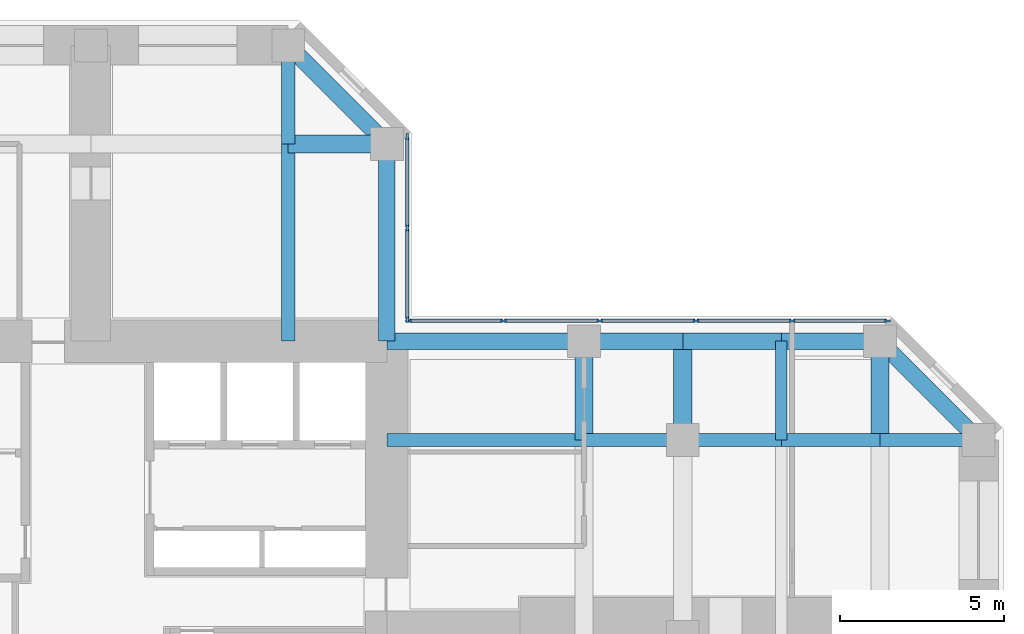
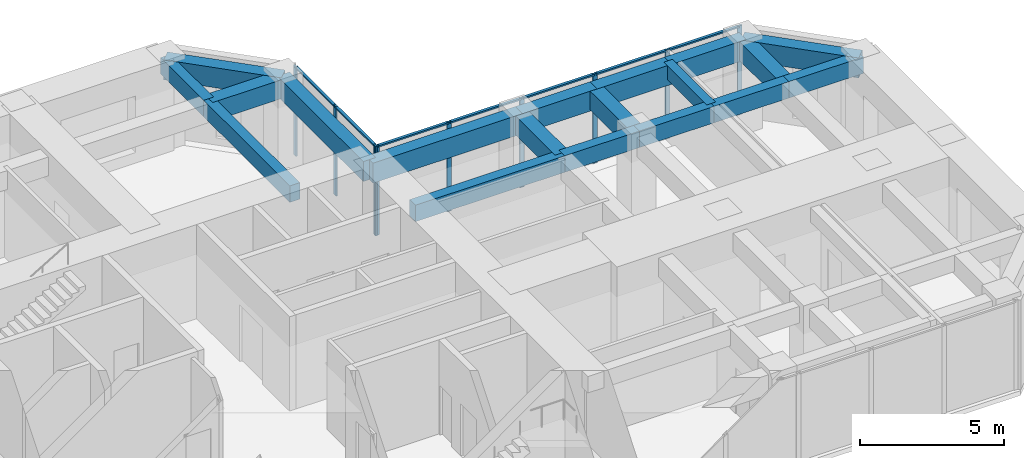
# One storey, part 6 of 13: 19 beams, 16 members, 2 elements without a shape of their own.
"""IFC4 building model written with IfcOpenShell, lengths in metres."""

from ifc_helpers import new_model, si_unit, direction, frame, origin, origin_2d, place, context, subcontext, project, spatial, rectangle, extrude, material, material_profile, profile_set, type_object, element, aggregate, save


model = new_model("IFC4")

# Units and contexts
model_context = context("Model", 3, precision=1e-05, world=origin(), true_north=direction((0.0, 1.0)))
body_context = subcontext(model_context, "Body", "Model", "MODEL_VIEW")
ifc_project = project(units=[si_unit("LENGTHUNIT", "METRE"), si_unit("AREAUNIT", "SQUARE_METRE"), si_unit("VOLUMEUNIT", "CUBIC_METRE"), si_unit("PLANEANGLEUNIT", "RADIAN"), si_unit("MASSUNIT", "GRAM", prefix="KILO")], contexts=[model_context])

# Site, building, storey
site_placement = place(None, origin())
site = spatial("IfcSite", under=ifc_project, at=site_placement, CompositionType="ELEMENT")
building_placement = place(site_placement, origin())
building = spatial("IfcBuilding", under=site, at=building_placement, Name="Torre Cruceta", CompositionType="ELEMENT")
storey_placement = place(building_placement, frame((0.0, 0.0, 156.5)))
storey = spatial("IfcBuildingStorey", under=building, at=storey_placement, Name="L38", CompositionType="ELEMENT", Elevation=156.5)

# Beams
ifc_material_1 = material(Name="Concrete G60 (fck 60 MPa)", Category="concrete")
ifc_material_profile_1 = material_profile(ifc_material_1, rectangle(XDim=0.39990234375, YDim=0.699951171875, at=origin_2d()), Name="RC 400X700")
ifc_profile_set_1 = profile_set([ifc_material_profile_1], Name="Concrete G60 (fck 60 MPa)")
beam_type_1 = type_object("IfcBeamType", Name="COLUMN LINE BEAM RC 400X700", PredefinedType="BEAM", material=ifc_profile_set_1)
beam_1_placement = place(storey_placement, frame((6.0, 9.0, 3.449951171875), z_axis=(0.0, 1.0, 0.0), x_axis=(-1.0, 0.0, 0.0)))
element("IfcBeam", 1, at=beam_1_placement, inside=storey, type_object=beam_type_1, Name="LB5 L38 N col- 1", PredefinedType="BEAM", context=body_context, shape_type="SweptSolid", body=[
    extrude(rectangle(XDim=0.39990234375, YDim=0.699951171875, at=origin_2d()), origin(), (0.0, 0.0, 1.0), 6.0),
])
beam_2_placement = place(storey_placement, frame((6.0, 15.0, 3.449951171875), z_axis=(0.0, 1.0, 0.0), x_axis=(-1.0, 0.0, 0.0)))
element("IfcBeam", 2, at=beam_2_placement, inside=storey, type_object=beam_type_1, Name="LB5 L38 N col- 2", PredefinedType="BEAM", context=body_context, shape_type="SweptSolid", body=[
    extrude(rectangle(XDim=0.39990234375, YDim=0.699951171875, at=origin_2d()), origin(), (0.0, 0.0, 1.0), 3.0),
])
beam_3_placement = place(storey_placement, frame((9.0, 6.0, 3.449951171875), z_axis=(1.0, 0.0, 0.0), x_axis=(0.0, 1.0, 0.0)))
element("IfcBeam", 3, at=beam_3_placement, inside=storey, type_object=beam_type_1, Name="LB5 L38 E col+ 1", PredefinedType="BEAM", context=body_context, shape_type="SweptSolid", body=[
    extrude(rectangle(XDim=0.39990234375, YDim=0.699951171875, at=origin_2d()), origin(), (0.0, 0.0, 1.0), 6.0),
])
for number, where, z_axis, x_axis, name in (
    (4, (15.0, 6.0, 3.449951171875), (1.0, 0.0, 0.0), (0.0, 1.0, 0.0), "LB5 L38 E col+ 2"),
    (5, (18.0, 6.0, 3.449951171875), (1.0, 0.0, 0.0), (0.0, 1.0, 0.0), "LB5 L38 E col+ 3"),
    (6, (21.0, 6.0, 3.449951171875), (1.0, 0.0, 0.0), (0.0, 1.0, 0.0), "LB5 L38 E col+ 4"),
    (7, (24.0, 6.0, 3.449951171875), (1.0, 0.0, 0.0), (0.0, 1.0, 0.0), "LB5 L38 E col+ 5"),
):
    element("IfcBeam", number, at=place(storey_placement, frame(where, z_axis=z_axis, x_axis=x_axis)), inside=storey, type_object=beam_type_1, Name=name, PredefinedType="BEAM", context=body_context, shape_type="SweptSolid", body=[
        extrude(rectangle(XDim=0.39990234375, YDim=0.699951171875, at=origin_2d()), origin(), (0.0, 0.0, 1.0), 3.0),
    ])
ifc_material_2 = material(Name="Concrete G60 (fck 60 MPa)", Category="concrete")
ifc_material_profile_2 = material_profile(ifc_material_2, rectangle(XDim=0.550048828125, YDim=0.800048828125, at=origin_2d()), Name="RC 550X800")
ifc_profile_set_2 = profile_set([ifc_material_profile_2], Name="Concrete G60 (fck 60 MPa)")
beam_type_2 = type_object("IfcBeamType", Name="CROSS BEAM RC 550X800", PredefinedType="BEAM", material=ifc_profile_set_2)
for number, where, z_axis, x_axis, name in (
    (8, (9.0, 15.0, 3.39990234375), (-1.0, 0.0, 0.0), (0.0, -1.0, 0.0), "GB5 L38 N cross15 1"),
    (9, (15.0, 6.0, 3.39990234375), (0.0, 1.0, 0.0), (-1.0, 0.0, 0.0), "GB5 L38 E cross15 4"),
    (10, (18.0, 6.0, 3.39990234375), (0.0, 1.0, 0.0), (-1.0, 0.0, 0.0), "GB5 L38 E cross18 4"),
    (11, (24.0, 6.0, 3.39990234375), (0.0, 1.0, 0.0), (-1.0, 0.0, 0.0), "GB5 L38 E cross24 4"),
):
    element("IfcBeam", number, at=place(storey_placement, frame(where, z_axis=z_axis, x_axis=x_axis)), inside=storey, type_object=beam_type_2, Name=name, PredefinedType="BEAM", context=body_context, shape_type="SweptSolid", body=[
        extrude(rectangle(XDim=0.550048828125, YDim=0.800048828125, at=origin_2d()), origin(), (0.0, 0.0, 1.0), 3.0),
    ])

# Curtain wall, members
ifc_material_3 = material(Name="Aluminium unitised curtain wall", Category="aluminium")
curtain_wall_type = type_object("IfcCurtainWallType", Name="CURTAIN WALL CW-B OFFICE MID RISE", PredefinedType="USERDEFINED", material=ifc_material_3)
curtain_wall_1_placement = place(storey_placement, origin())
curtain_wall_1 = element("IfcCurtainWall", 12, at=curtain_wall_1_placement, inside=storey, type_object=curtain_wall_type, Name="CW-B L38 E side 04", ObjectType="UNITISED", PredefinedType="USERDEFINED")
ifc_material_4 = material(Name="Aluminium mullion", Category="aluminium")
ifc_material_profile_3 = material_profile(ifc_material_4, rectangle(XDim=0.06494140625, YDim=0.179931640625, at=origin_2d()), Name="AL 65X180")
ifc_profile_set_3 = profile_set([ifc_material_profile_3], Name="Aluminium mullion")
member_type_1 = type_object("IfcMemberType", Name="CW-B MULLION 65X180", PredefinedType="MULLION", material=ifc_profile_set_3)
member_1_placement = place(storey_placement, frame((24.224365234375, 9.6201171875, 0.0), z_axis=(0.0, 0.0, 1.0), x_axis=(0.0, -1.0, 0.0)))
member_1 = element("IfcMember", 13, at=member_1_placement, type_object=member_type_1, Name="CW-B mullion 1", PredefinedType="MULLION", context=body_context, shape_type="SweptSolid", body=[
    extrude(rectangle(XDim=0.06494140625, YDim=0.179931640625, at=origin_2d()), origin(), (0.0, 0.0, 1.0), 3.800048828125),
])
member_2_placement = place(storey_placement, frame((21.329345703125, 9.6201171875, 0.0), z_axis=(0.0, 0.0, 1.0), x_axis=(0.0, -1.0, 0.0)))
member_2 = element("IfcMember", 14, at=member_2_placement, type_object=member_type_1, Name="CW-B mullion 2", PredefinedType="MULLION", context=body_context, shape_type="SweptSolid", body=[
    extrude(rectangle(XDim=0.06494140625, YDim=0.179931640625, at=origin_2d()), origin(), (0.0, 0.0, 1.0), 3.800048828125),
])
member_3_placement = place(storey_placement, frame((18.402099609375, 9.6201171875, 0.0), z_axis=(0.0, 0.0, 1.0), x_axis=(0.0, -1.0, 0.0)))
member_3 = element("IfcMember", 15, at=member_3_placement, type_object=member_type_1, Name="CW-B mullion 3", PredefinedType="MULLION", context=body_context, shape_type="SweptSolid", body=[
    extrude(rectangle(XDim=0.06494140625, YDim=0.179931640625, at=origin_2d()), origin(), (0.0, 0.0, 1.0), 3.800048828125),
])
member_4_placement = place(storey_placement, frame((15.474609375, 9.6201171875, 0.0), z_axis=(0.0, 0.0, 1.0), x_axis=(0.0, -1.0, 0.0)))
member_4 = element("IfcMember", 16, at=member_4_placement, type_object=member_type_1, Name="CW-B mullion 4", PredefinedType="MULLION", context=body_context, shape_type="SweptSolid", body=[
    extrude(rectangle(XDim=0.06494140625, YDim=0.179931640625, at=origin_2d()), origin(), (0.0, 0.0, 1.0), 3.800048828125),
])
member_5_placement = place(storey_placement, frame((12.54736328125, 9.6201171875, 0.0), z_axis=(0.0, 0.0, 1.0), x_axis=(0.0, -1.0, 0.0)))
member_5 = element("IfcMember", 17, at=member_5_placement, type_object=member_type_1, Name="CW-B mullion 5", PredefinedType="MULLION", context=body_context, shape_type="SweptSolid", body=[
    extrude(rectangle(XDim=0.06494140625, YDim=0.179931640625, at=origin_2d()), origin(), (0.0, 0.0, 1.0), 3.800048828125),
])
member_6_placement = place(storey_placement, frame((9.652587890625, 9.6201171875, 0.0), z_axis=(0.0, 0.0, 1.0), x_axis=(0.0, -1.0, 0.0)))
member_6 = element("IfcMember", 18, at=member_6_placement, type_object=member_type_1, Name="CW-B mullion 6", PredefinedType="MULLION", context=body_context, shape_type="SweptSolid", body=[
    extrude(rectangle(XDim=0.06494140625, YDim=0.179931640625, at=origin_2d()), origin(), (0.0, 0.0, 1.0), 3.800048828125),
])

curtain_wall_2_placement = place(storey_placement, origin())
curtain_wall_2 = element("IfcCurtainWall", 19, at=curtain_wall_2_placement, inside=storey, type_object=curtain_wall_type, Name="CW-B L38 N side 05", ObjectType="UNITISED", PredefinedType="USERDEFINED")
member_7_placement = place(storey_placement, frame((9.6201171875, 9.652587890625, 0.0), z_axis=(0.0, 0.0, 1.0), x_axis=(-1.0, 0.0, 0.0)))
member_7 = element("IfcMember", 20, at=member_7_placement, type_object=member_type_1, Name="CW-B mullion 1", PredefinedType="MULLION", context=body_context, shape_type="SweptSolid", body=[
    extrude(rectangle(XDim=0.06494140625, YDim=0.179931640625, at=origin_2d()), origin(), (0.0, 0.0, 1.0), 3.800048828125),
])
member_8_placement = place(storey_placement, frame((9.6201171875, 12.4384765625, 0.0), z_axis=(0.0, 0.0, 1.0), x_axis=(-1.0, 0.0, 0.0)))
member_8 = element("IfcMember", 21, at=member_8_placement, type_object=member_type_1, Name="CW-B mullion 2", PredefinedType="MULLION", context=body_context, shape_type="SweptSolid", body=[
    extrude(rectangle(XDim=0.06494140625, YDim=0.179931640625, at=origin_2d()), origin(), (0.0, 0.0, 1.0), 3.800048828125),
])
member_9_placement = place(storey_placement, frame((9.6201171875, 15.224365234375, 0.0), z_axis=(0.0, 0.0, 1.0), x_axis=(-1.0, 0.0, 0.0)))
member_9 = element("IfcMember", 22, at=member_9_placement, type_object=member_type_1, Name="CW-B mullion 3", PredefinedType="MULLION", context=body_context, shape_type="SweptSolid", body=[
    extrude(rectangle(XDim=0.06494140625, YDim=0.179931640625, at=origin_2d()), origin(), (0.0, 0.0, 1.0), 3.800048828125),
])

# Member
ifc_material_5 = material(Name="Aluminium transom", Category="aluminium")
ifc_material_profile_4 = material_profile(ifc_material_5, rectangle(XDim=0.110107421875, YDim=0.06494140625, at=origin_2d()), Name="AL 110X65")
ifc_profile_set_4 = profile_set([ifc_material_profile_4], Name="Aluminium transom")
member_type_2 = type_object("IfcMemberType", Name="CW-B TRANSOM 65X110", PredefinedType="USERDEFINED", material=ifc_profile_set_4)
member_10_placement = place(storey_placement, frame((24.19189453125, 9.6201171875, 3.767578125), z_axis=(-1.0, 0.0, 0.0), x_axis=(0.0, -1.0, 0.0)))
member_10 = element("IfcMember", 23, at=member_10_placement, type_object=member_type_2, Name="CW-B transom 1", ObjectType="TRANSOM", PredefinedType="USERDEFINED", context=body_context, shape_type="SweptSolid", body=[
    extrude(rectangle(XDim=0.110107421875, YDim=0.06494140625, at=origin_2d()), origin(), (0.0, 0.0, 1.0), 2.829833984375),
])

member_11_placement = place(storey_placement, frame((21.296875, 9.6201171875, 3.767578125), z_axis=(-1.0, 0.0, 0.0), x_axis=(0.0, -1.0, 0.0)))
member_11 = element("IfcMember", 24, at=member_11_placement, type_object=member_type_2, Name="CW-B transom 2", ObjectType="TRANSOM", PredefinedType="USERDEFINED", context=body_context, shape_type="SweptSolid", body=[
    extrude(rectangle(XDim=0.110107421875, YDim=0.06494140625, at=origin_2d()), origin(), (0.0, 0.0, 1.0), 2.8623046875),
])

member_12_placement = place(storey_placement, frame((18.36962890625, 9.6201171875, 3.767578125), z_axis=(-1.0, 0.0, 0.0), x_axis=(0.0, -1.0, 0.0)))
member_12 = element("IfcMember", 25, at=member_12_placement, type_object=member_type_2, Name="CW-B transom 3", ObjectType="TRANSOM", PredefinedType="USERDEFINED", context=body_context, shape_type="SweptSolid", body=[
    extrude(rectangle(XDim=0.110107421875, YDim=0.06494140625, at=origin_2d()), origin(), (0.0, 0.0, 1.0), 2.8623046875),
])

member_13_placement = place(storey_placement, frame((15.442138671875, 9.6201171875, 3.767578125), z_axis=(-1.0, 0.0, 0.0), x_axis=(0.0, -1.0, 0.0)))
member_13 = element("IfcMember", 26, at=member_13_placement, type_object=member_type_2, Name="CW-B transom 4", ObjectType="TRANSOM", PredefinedType="USERDEFINED", context=body_context, shape_type="SweptSolid", body=[
    extrude(rectangle(XDim=0.110107421875, YDim=0.06494140625, at=origin_2d()), origin(), (0.0, 0.0, 1.0), 2.8623046875),
])

member_14_placement = place(storey_placement, frame((12.514892578125, 9.6201171875, 3.767578125), z_axis=(-1.0, 0.0, 0.0), x_axis=(0.0, -1.0, 0.0)))
member_14 = element("IfcMember", 27, at=member_14_placement, type_object=member_type_2, Name="CW-B transom 5", ObjectType="TRANSOM", PredefinedType="USERDEFINED", context=body_context, shape_type="SweptSolid", body=[
    extrude(rectangle(XDim=0.110107421875, YDim=0.06494140625, at=origin_2d()), origin(), (0.0, 0.0, 1.0), 2.829833984375),
])

aggregate(curtain_wall_1, [member_1, member_2, member_3, member_4, member_5, member_6, member_10, member_11, member_12, member_13, member_14])

member_15_placement = place(storey_placement, frame((9.6201171875, 9.68505859375, 3.767578125), z_axis=(0.0, 1.0, 0.0), x_axis=(-1.0, 0.0, 0.0)))
member_15 = element("IfcMember", 28, at=member_15_placement, type_object=member_type_2, Name="CW-B transom 1", ObjectType="TRANSOM", PredefinedType="USERDEFINED", context=body_context, shape_type="SweptSolid", body=[
    extrude(rectangle(XDim=0.110107421875, YDim=0.06494140625, at=origin_2d()), origin(), (0.0, 0.0, 1.0), 2.720947265625),
])

member_16_placement = place(storey_placement, frame((9.6201171875, 12.470947265625, 3.767578125), z_axis=(0.0, 1.0, 0.0), x_axis=(-1.0, 0.0, 0.0)))
member_16 = element("IfcMember", 29, at=member_16_placement, type_object=member_type_2, Name="CW-B transom 2", ObjectType="TRANSOM", PredefinedType="USERDEFINED", context=body_context, shape_type="SweptSolid", body=[
    extrude(rectangle(XDim=0.110107421875, YDim=0.06494140625, at=origin_2d()), origin(), (0.0, 0.0, 1.0), 2.720947265625),
])

aggregate(curtain_wall_2, [member_7, member_8, member_9, member_15, member_16])

# Beams
ifc_material_6 = material(Name="Concrete G60 (fck 60 MPa)", Category="concrete")
ifc_material_profile_5 = material_profile(ifc_material_6, rectangle(XDim=0.35009765625, YDim=0.60009765625, at=origin_2d()), Name="RC 350X600")
ifc_profile_set_5 = profile_set([ifc_material_profile_5], Name="Concrete G60 (fck 60 MPa)")
beam_type_3 = type_object("IfcBeamType", Name="SECONDARY BEAM RC 350X600", PredefinedType="JOIST", material=ifc_profile_set_5)
beam_4_placement = place(storey_placement, frame((21.0, 6.0, 3.5), z_axis=(0.0, 1.0, 0.0), x_axis=(-1.0, 0.0, 0.0)))
element("IfcBeam", 30, at=beam_4_placement, inside=storey, type_object=beam_type_3, Name="JB5 L38 E sec21 4", PredefinedType="JOIST", context=body_context, shape_type="SweptSolid", body=[
    extrude(rectangle(XDim=0.35009765625, YDim=0.60009765625, at=origin_2d()), origin(), (0.0, 0.0, 1.0), 3.0),
])
ifc_material_7 = material(Name="Concrete G60 (fck 60 MPa)", Category="concrete")
ifc_material_profile_6 = material_profile(ifc_material_7, rectangle(XDim=0.5, YDim=0.85009765625, at=origin_2d()), Name="RC 500X850")
ifc_profile_set_6 = profile_set([ifc_material_profile_6], Name="Concrete G60 (fck 60 MPa)")
beam_type_4 = type_object("IfcBeamType", Name="SPANDREL BEAM RC 500X850", PredefinedType="SPANDREL", material=ifc_profile_set_6)
beam_5_placement = place(storey_placement, frame((9.0, 9.0, 3.375), z_axis=(0.0, 1.0, 0.0), x_axis=(-1.0, 0.0, 0.0)))
element("IfcBeam", 31, at=beam_5_placement, inside=storey, type_object=beam_type_4, Name="SB5 L38 N side- 1", PredefinedType="SPANDREL", context=body_context, shape_type="SweptSolid", body=[
    extrude(rectangle(XDim=0.5, YDim=0.85009765625, at=origin_2d()), origin(), (0.0, 0.0, 1.0), 6.0),
])
beam_6_placement = place(storey_placement, frame((9.0, 15.0, 3.375), z_axis=(-0.707106781187, 0.707106781187, 0.0), x_axis=(-0.707106781187, -0.707106781187, 0.0)))
element("IfcBeam", 32, at=beam_6_placement, inside=storey, type_object=beam_type_4, Name="SB5 L38 N side- 2", PredefinedType="SPANDREL", context=body_context, shape_type="SweptSolid", body=[
    extrude(rectangle(XDim=0.5, YDim=0.85009765625, at=origin_2d()), origin(), (0.0, 0.0, 1.0), 4.24267578125),
])
beam_7_placement = place(storey_placement, frame((9.0, 9.0, 3.375), z_axis=(1.0, 0.0, 0.0), x_axis=(0.0, 1.0, 0.0)))
element("IfcBeam", 33, at=beam_7_placement, inside=storey, type_object=beam_type_4, Name="SB5 L38 E side+ 1", PredefinedType="SPANDREL", context=body_context, shape_type="SweptSolid", body=[
    extrude(rectangle(XDim=0.5, YDim=0.85009765625, at=origin_2d()), origin(), (0.0, 0.0, 1.0), 6.0),
])
for number, where, z_axis, x_axis, name in (
    (34, (15.0, 9.0, 3.375), (1.0, 0.0, 0.0), (0.0, 1.0, 0.0), "SB5 L38 E side+ 2"),
    (35, (18.0, 9.0, 3.375), (1.0, 0.0, 0.0), (0.0, 1.0, 0.0), "SB5 L38 E side+ 3"),
    (36, (21.0, 9.0, 3.375), (1.0, 0.0, 0.0), (0.0, 1.0, 0.0), "SB5 L38 E side+ 4"),
):
    element("IfcBeam", number, at=place(storey_placement, frame(where, z_axis=z_axis, x_axis=x_axis)), inside=storey, type_object=beam_type_4, Name=name, PredefinedType="SPANDREL", context=body_context, shape_type="SweptSolid", body=[
        extrude(rectangle(XDim=0.5, YDim=0.85009765625, at=origin_2d()), origin(), (0.0, 0.0, 1.0), 3.0),
    ])
beam_8_placement = place(storey_placement, frame((24.0, 9.0, 3.375), z_axis=(0.707106781187, -0.707106781187, 0.0), x_axis=(0.707106781187, 0.707106781187, 0.0)))
element("IfcBeam", 37, at=beam_8_placement, inside=storey, type_object=beam_type_4, Name="SB5 L38 E side+ 5", PredefinedType="SPANDREL", context=body_context, shape_type="SweptSolid", body=[
    extrude(rectangle(XDim=0.5, YDim=0.85009765625, at=origin_2d()), origin(), (0.0, 0.0, 1.0), 4.24267578125),
])

save(model, "model.ifc")
